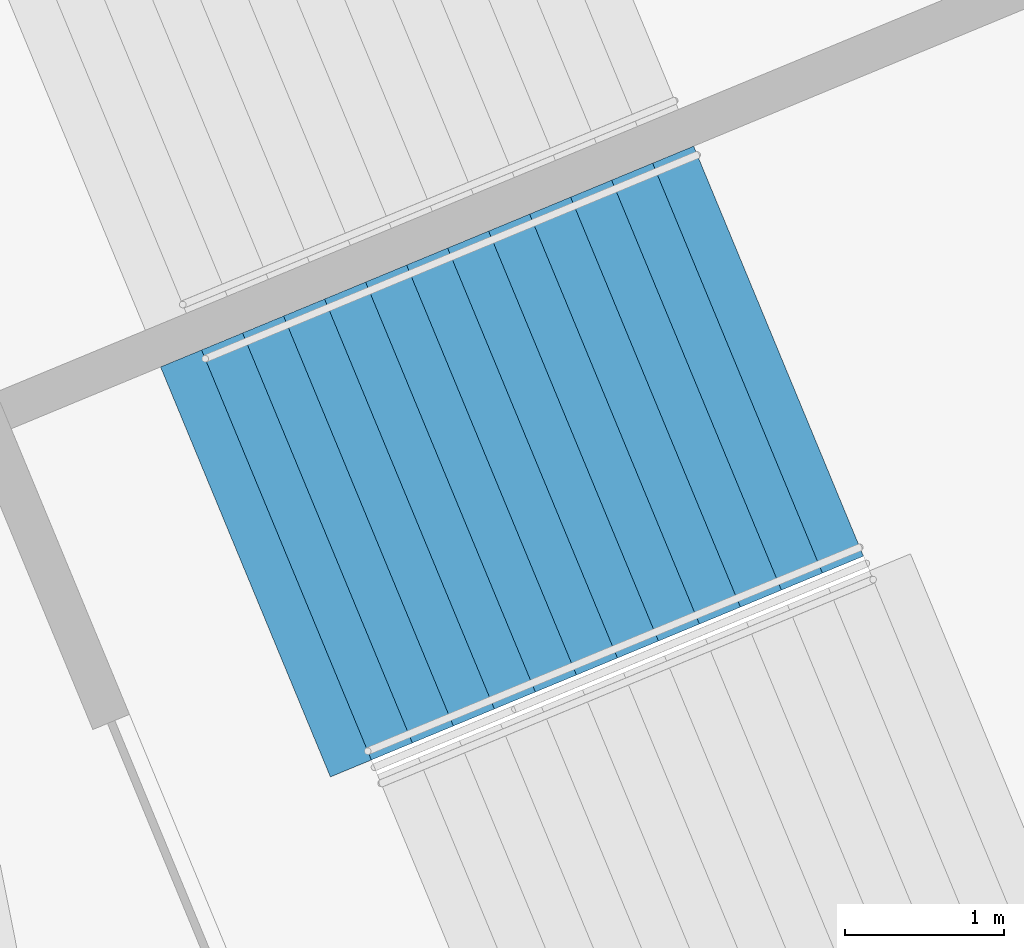
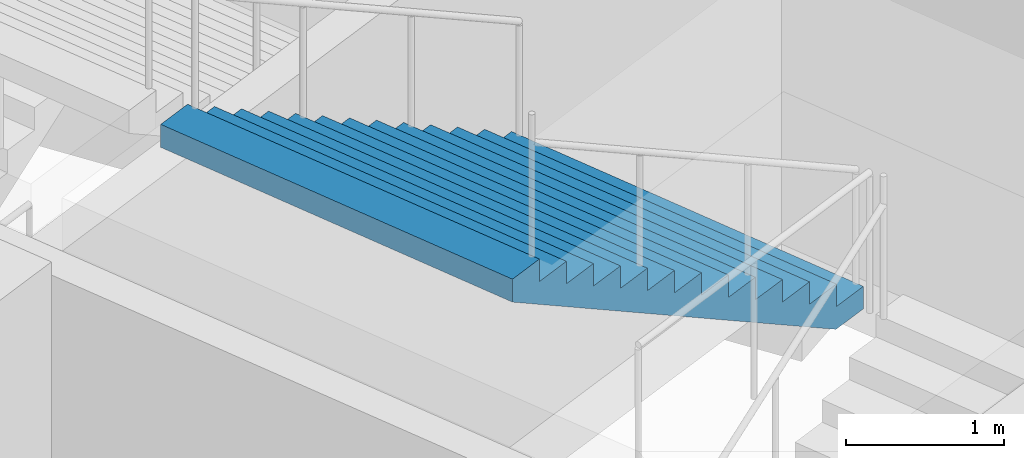
# One storey, part 178 of 199: 1 stair flight, 1 element without a shape of its own.
"""IFC4 building model written with IfcOpenShell, lengths in metres."""

from ifc_helpers import new_model, si_unit, direction, frame, origin, place, context, subcontext, project, spatial, faceted_brep, material, type_object, element, aggregate, save


model = new_model("IFC4")

# Units and contexts
model_context = context("Model", 3, precision=1e-05, world=origin(), true_north=direction((0.0, 1.0)))
body_context = subcontext(model_context, "Body", "Model", "MODEL_VIEW")
ifc_project = project(units=[si_unit("LENGTHUNIT", "METRE"), si_unit("AREAUNIT", "SQUARE_METRE"), si_unit("VOLUMEUNIT", "CUBIC_METRE"), si_unit("PLANEANGLEUNIT", "RADIAN"), si_unit("MASSUNIT", "GRAM", prefix="KILO")], contexts=[model_context])

# Site, building, storey
site_placement = place(None, origin())
site = spatial("IfcSite", under=ifc_project, at=site_placement, CompositionType="ELEMENT")
building_placement = place(site_placement, origin())
building = spatial("IfcBuilding", under=site, at=building_placement, Name="Ogive Plaza Stadium", CompositionType="ELEMENT")
storey_placement = place(building_placement, frame((0.0, 0.0, 4.5)))
storey = spatial("IfcBuildingStorey", under=building, at=storey_placement, Name="L01", CompositionType="ELEMENT", Elevation=4.5)

# Stair, stair flight
ifc_material_1 = material(Name="Concrete C40/50", Category="concrete")
stair_type = type_object("IfcStairType", Name="Exit stair", PredefinedType="STRAIGHT_RUN_STAIR", material=ifc_material_1)
stair_placement = place(storey_placement, origin())
stair = element("IfcStair", 1, at=stair_placement, inside=storey, type_object=stair_type, Name="Exit stair ST40A L01 to L02", PredefinedType="STRAIGHT_RUN_STAIR")
ifc_material_2 = material(Name="Concrete C40/50", Category="concrete")
stair_flight_type = type_object("IfcStairFlightType", Name="Exit stair flight", PredefinedType="STRAIGHT", material=ifc_material_2)
stair_flight_placement = place(storey_placement, frame((76.814208984375, 68.58349609375, 2.25), z_axis=(0.0, 0.0, 1.0), x_axis=(-0.923879532511, -0.382683432365, 0.0)))
stair_flight = element("IfcStairFlight", 2, at=stair_flight_placement, type_object=stair_flight_type, Name="ST40A flight 2", NumberOfRisers=13, NumberOfTreads=12, PredefinedType="STRAIGHT", RiserHeight=0.173076923, TreadLength=0.28, context=body_context, shape_type="Brep", body=[
    faceted_brep([(0.28515625, -1.39990234375, 0.0), (3.639892578125, -1.39990234375, 2.07373046875), (3.639892578125, -1.39990234375, 2.25), (3.360107421875, -1.39990234375, 2.25), (3.360107421875, -1.39990234375, 2.076904296875), (3.080078125, -1.39990234375, 2.076904296875), (3.080078125, -1.39990234375, 1.90380859375), (2.800048828125, -1.39990234375, 1.90380859375), (2.800048828125, -1.39990234375, 1.730712890625), (2.52001953125, -1.39990234375, 1.730712890625), (2.52001953125, -1.39990234375, 1.5576171875), (2.239990234375, -1.39990234375, 1.5576171875), (2.239990234375, -1.39990234375, 1.384521484375), (1.9599609375, -1.39990234375, 1.384521484375), (1.9599609375, -1.39990234375, 1.21142578125), (1.679931640625, -1.39990234375, 1.21142578125), (1.679931640625, -1.39990234375, 1.03857421875), (1.39990234375, -1.39990234375, 1.03857421875), (1.39990234375, -1.39990234375, 0.865478515625), (1.1201171875, -1.39990234375, 0.865478515625), (1.1201171875, -1.39990234375, 0.6923828125), (0.840087890625, -1.39990234375, 0.6923828125), (0.840087890625, -1.39990234375, 0.519287109375), (0.56005859375, -1.39990234375, 0.519287109375), (0.56005859375, -1.39990234375, 0.34619140625), (0.280029296875, -1.39990234375, 0.34619140625), (0.280029296875, -1.39990234375, 0.173095703125), (0.0, -1.39990234375, 0.173095703125), (0.0, -1.39990234375, 0.0), (0.0, 1.39990234375, 0.0), (0.0, 1.39990234375, 0.173095703125), (0.280029296875, 1.39990234375, 0.173095703125), (0.280029296875, 1.39990234375, 0.34619140625), (0.56005859375, 1.39990234375, 0.34619140625), (0.56005859375, 1.39990234375, 0.519287109375), (0.840087890625, 1.39990234375, 0.519287109375), (0.840087890625, 1.39990234375, 0.6923828125), (1.1201171875, 1.39990234375, 0.6923828125), (1.1201171875, 1.39990234375, 0.865478515625), (1.39990234375, 1.39990234375, 0.865478515625), (1.39990234375, 1.39990234375, 1.03857421875), (1.679931640625, 1.39990234375, 1.03857421875), (1.679931640625, 1.39990234375, 1.21142578125), (1.9599609375, 1.39990234375, 1.21142578125), (1.9599609375, 1.39990234375, 1.384521484375), (2.239990234375, 1.39990234375, 1.384521484375), (2.239990234375, 1.39990234375, 1.5576171875), (2.52001953125, 1.39990234375, 1.5576171875), (2.52001953125, 1.39990234375, 1.730712890625), (2.800048828125, 1.39990234375, 1.730712890625), (2.800048828125, 1.39990234375, 1.90380859375), (3.080078125, 1.39990234375, 1.90380859375), (3.080078125, 1.39990234375, 2.076904296875), (3.360107421875, 1.39990234375, 2.076904296875), (3.360107421875, 1.39990234375, 2.25), (3.639892578125, 1.39990234375, 2.25), (3.639892578125, 1.39990234375, 2.07373046875), (0.28515625, 1.39990234375, 0.0), (0.28515625, -1.0888671875, 0.0), (3.639892578125, -1.0888671875, 2.07373046875), (0.28515625, -0.77783203125, 0.0), (3.639892578125, -0.77783203125, 2.07373046875), (0.28515625, -0.466796875, 0.0), (3.639892578125, -0.466796875, 2.07373046875), (0.28515625, -0.155517578125, 0.0), (3.639892578125, -0.155517578125, 2.07373046875), (0.28515625, 0.155517578125, 0.0), (3.639892578125, 0.155517578125, 2.07373046875), (0.28515625, 0.466796875, 0.0), (3.639892578125, 0.466796875, 2.07373046875), (0.28515625, 0.77783203125, 0.0), (3.639892578125, 0.77783203125, 2.07373046875), (0.28515625, 1.0888671875, 0.0), (3.639892578125, 1.0888671875, 2.07373046875), (3.639892578125, -1.0888671875, 2.25), (3.639892578125, -0.77783203125, 2.25), (3.639892578125, -0.466796875, 2.25), (3.639892578125, -0.155517578125, 2.25), (3.639892578125, 0.155517578125, 2.25), (3.639892578125, 0.466796875, 2.25), (3.639892578125, 0.77783203125, 2.25), (3.639892578125, 1.0888671875, 2.25), (3.360107421875, -1.0888671875, 2.25), (3.360107421875, -0.77783203125, 2.25), (3.360107421875, -0.466796875, 2.25), (3.360107421875, -0.155517578125, 2.25), (3.360107421875, 0.155517578125, 2.25), (3.360107421875, 0.466796875, 2.25), (3.360107421875, 0.77783203125, 2.25), (3.360107421875, 1.0888671875, 2.25), (3.360107421875, -1.0888671875, 2.076904296875), (3.360107421875, -0.77783203125, 2.076904296875), (3.360107421875, -0.466796875, 2.076904296875), (3.360107421875, -0.155517578125, 2.076904296875), (3.360107421875, 0.155517578125, 2.076904296875), (3.360107421875, 0.466796875, 2.076904296875), (3.360107421875, 0.77783203125, 2.076904296875), (3.360107421875, 1.0888671875, 2.076904296875), (3.080078125, -1.0888671875, 2.076904296875), (3.080078125, -0.77783203125, 2.076904296875), (3.080078125, -0.466796875, 2.076904296875), (3.080078125, -0.155517578125, 2.076904296875), (3.080078125, 0.155517578125, 2.076904296875), (3.080078125, 0.466796875, 2.076904296875), (3.080078125, 0.77783203125, 2.076904296875), (3.080078125, 1.0888671875, 2.076904296875), (3.080078125, -1.0888671875, 1.90380859375), (3.080078125, -0.77783203125, 1.90380859375), (3.080078125, -0.466796875, 1.90380859375), (3.080078125, -0.155517578125, 1.90380859375), (3.080078125, 0.155517578125, 1.90380859375), (3.080078125, 0.466796875, 1.90380859375), (3.080078125, 0.77783203125, 1.90380859375), (3.080078125, 1.0888671875, 1.90380859375), (2.800048828125, -1.0888671875, 1.90380859375), (2.800048828125, -0.77783203125, 1.90380859375), (2.800048828125, -0.466796875, 1.90380859375), (2.800048828125, -0.155517578125, 1.90380859375), (2.800048828125, 0.155517578125, 1.90380859375), (2.800048828125, 0.466796875, 1.90380859375), (2.800048828125, 0.77783203125, 1.90380859375), (2.800048828125, 1.0888671875, 1.90380859375), (2.800048828125, -1.0888671875, 1.730712890625), (2.800048828125, -0.77783203125, 1.730712890625), (2.800048828125, -0.466796875, 1.730712890625), (2.800048828125, -0.155517578125, 1.730712890625), (2.800048828125, 0.155517578125, 1.730712890625), (2.800048828125, 0.466796875, 1.730712890625), (2.800048828125, 0.77783203125, 1.730712890625), (2.800048828125, 1.0888671875, 1.730712890625), (2.52001953125, -1.0888671875, 1.730712890625), (2.52001953125, -0.77783203125, 1.730712890625), (2.52001953125, -0.466796875, 1.730712890625), (2.52001953125, -0.155517578125, 1.730712890625), (2.52001953125, 0.155517578125, 1.730712890625), (2.52001953125, 0.466796875, 1.730712890625), (2.52001953125, 0.77783203125, 1.730712890625), (2.52001953125, 1.0888671875, 1.730712890625), (2.52001953125, -1.0888671875, 1.5576171875), (2.52001953125, -0.77783203125, 1.5576171875), (2.52001953125, -0.466796875, 1.5576171875), (2.52001953125, -0.155517578125, 1.5576171875), (2.52001953125, 0.155517578125, 1.5576171875), (2.52001953125, 0.466796875, 1.5576171875), (2.52001953125, 0.77783203125, 1.5576171875), (2.52001953125, 1.0888671875, 1.5576171875), (2.239990234375, -1.0888671875, 1.5576171875), (2.239990234375, -0.77783203125, 1.5576171875), (2.239990234375, -0.466796875, 1.5576171875), (2.239990234375, -0.155517578125, 1.5576171875), (2.239990234375, 0.155517578125, 1.5576171875), (2.239990234375, 0.466796875, 1.5576171875), (2.239990234375, 0.77783203125, 1.5576171875), (2.239990234375, 1.0888671875, 1.5576171875), (2.239990234375, -1.0888671875, 1.384521484375), (2.239990234375, -0.77783203125, 1.384521484375), (2.239990234375, -0.466796875, 1.384521484375), (2.239990234375, -0.155517578125, 1.384521484375), (2.239990234375, 0.155517578125, 1.384521484375), (2.239990234375, 0.466796875, 1.384521484375), (2.239990234375, 0.77783203125, 1.384521484375), (2.239990234375, 1.0888671875, 1.384521484375), (1.9599609375, -1.0888671875, 1.384521484375), (1.9599609375, -0.77783203125, 1.384521484375), (1.9599609375, -0.466796875, 1.384521484375), (1.9599609375, -0.155517578125, 1.384521484375), (1.9599609375, 0.155517578125, 1.384521484375), (1.9599609375, 0.466796875, 1.384521484375), (1.9599609375, 0.77783203125, 1.384521484375), (1.9599609375, 1.0888671875, 1.384521484375), (1.9599609375, -1.0888671875, 1.21142578125), (1.9599609375, -0.77783203125, 1.21142578125), (1.9599609375, -0.466796875, 1.21142578125), (1.9599609375, -0.155517578125, 1.21142578125), (1.9599609375, 0.155517578125, 1.21142578125), (1.9599609375, 0.466796875, 1.21142578125), (1.9599609375, 0.77783203125, 1.21142578125), (1.9599609375, 1.0888671875, 1.21142578125), (1.679931640625, -1.0888671875, 1.21142578125), (1.679931640625, -0.77783203125, 1.21142578125), (1.679931640625, -0.466796875, 1.21142578125), (1.679931640625, -0.155517578125, 1.21142578125), (1.679931640625, 0.155517578125, 1.21142578125), (1.679931640625, 0.466796875, 1.21142578125), (1.679931640625, 0.77783203125, 1.21142578125), (1.679931640625, 1.0888671875, 1.21142578125), (1.679931640625, -1.0888671875, 1.03857421875), (1.679931640625, -0.77783203125, 1.03857421875), (1.679931640625, -0.466796875, 1.03857421875), (1.679931640625, -0.155517578125, 1.03857421875), (1.679931640625, 0.155517578125, 1.03857421875), (1.679931640625, 0.466796875, 1.03857421875), (1.679931640625, 0.77783203125, 1.03857421875), (1.679931640625, 1.0888671875, 1.03857421875), (1.39990234375, -1.0888671875, 1.03857421875), (1.39990234375, -0.77783203125, 1.03857421875), (1.39990234375, -0.466796875, 1.03857421875), (1.39990234375, -0.155517578125, 1.03857421875), (1.39990234375, 0.155517578125, 1.03857421875), (1.39990234375, 0.466796875, 1.03857421875), (1.39990234375, 0.77783203125, 1.03857421875), (1.39990234375, 1.0888671875, 1.03857421875), (1.39990234375, -1.0888671875, 0.865478515625), (1.39990234375, -0.77783203125, 0.865478515625), (1.39990234375, -0.466796875, 0.865478515625), (1.39990234375, -0.155517578125, 0.865478515625), (1.39990234375, 0.155517578125, 0.865478515625), (1.39990234375, 0.466796875, 0.865478515625), (1.39990234375, 0.77783203125, 0.865478515625), (1.39990234375, 1.0888671875, 0.865478515625), (1.1201171875, -1.0888671875, 0.865478515625), (1.1201171875, -0.77783203125, 0.865478515625), (1.1201171875, -0.466796875, 0.865478515625), (1.1201171875, -0.155517578125, 0.865478515625), (1.1201171875, 0.155517578125, 0.865478515625), (1.1201171875, 0.466796875, 0.865478515625), (1.1201171875, 0.77783203125, 0.865478515625), (1.1201171875, 1.0888671875, 0.865478515625), (1.1201171875, -1.0888671875, 0.6923828125), (1.1201171875, -0.77783203125, 0.6923828125), (1.1201171875, -0.466796875, 0.6923828125), (1.1201171875, -0.155517578125, 0.6923828125), (1.1201171875, 0.155517578125, 0.6923828125), (1.1201171875, 0.466796875, 0.6923828125), (1.1201171875, 0.77783203125, 0.6923828125), (1.1201171875, 1.0888671875, 0.6923828125), (0.840087890625, -1.0888671875, 0.6923828125), (0.840087890625, -0.77783203125, 0.6923828125), (0.840087890625, -0.466796875, 0.6923828125), (0.840087890625, -0.155517578125, 0.6923828125), (0.840087890625, 0.155517578125, 0.6923828125), (0.840087890625, 0.466796875, 0.6923828125), (0.840087890625, 0.77783203125, 0.6923828125), (0.840087890625, 1.0888671875, 0.6923828125), (0.840087890625, -1.0888671875, 0.519287109375), (0.840087890625, -0.77783203125, 0.519287109375), (0.840087890625, -0.466796875, 0.519287109375), (0.840087890625, -0.155517578125, 0.519287109375), (0.840087890625, 0.155517578125, 0.519287109375), (0.840087890625, 0.466796875, 0.519287109375), (0.840087890625, 0.77783203125, 0.519287109375), (0.840087890625, 1.0888671875, 0.519287109375), (0.56005859375, -1.0888671875, 0.519287109375), (0.56005859375, -0.77783203125, 0.519287109375), (0.56005859375, -0.466796875, 0.519287109375), (0.56005859375, -0.155517578125, 0.519287109375), (0.56005859375, 0.155517578125, 0.519287109375), (0.56005859375, 0.466796875, 0.519287109375), (0.56005859375, 0.77783203125, 0.519287109375), (0.56005859375, 1.0888671875, 0.519287109375), (0.56005859375, -1.0888671875, 0.34619140625), (0.56005859375, -0.77783203125, 0.34619140625), (0.56005859375, -0.466796875, 0.34619140625), (0.56005859375, -0.155517578125, 0.34619140625), (0.56005859375, 0.155517578125, 0.34619140625), (0.56005859375, 0.466796875, 0.34619140625), (0.56005859375, 0.77783203125, 0.34619140625), (0.56005859375, 1.0888671875, 0.34619140625), (0.280029296875, -1.0888671875, 0.34619140625), (0.280029296875, -0.77783203125, 0.34619140625), (0.280029296875, -0.466796875, 0.34619140625), (0.280029296875, -0.155517578125, 0.34619140625), (0.280029296875, 0.155517578125, 0.34619140625), (0.280029296875, 0.466796875, 0.34619140625), (0.280029296875, 0.77783203125, 0.34619140625), (0.280029296875, 1.0888671875, 0.34619140625), (0.280029296875, -1.0888671875, 0.173095703125), (0.280029296875, -0.77783203125, 0.173095703125), (0.280029296875, -0.466796875, 0.173095703125), (0.280029296875, -0.155517578125, 0.173095703125), (0.280029296875, 0.155517578125, 0.173095703125), (0.280029296875, 0.466796875, 0.173095703125), (0.280029296875, 0.77783203125, 0.173095703125), (0.280029296875, 1.0888671875, 0.173095703125), (0.0, -1.0888671875, 0.173095703125), (0.0, -0.77783203125, 0.173095703125), (0.0, -0.466796875, 0.173095703125), (0.0, -0.155517578125, 0.173095703125), (0.0, 0.155517578125, 0.173095703125), (0.0, 0.466796875, 0.173095703125), (0.0, 0.77783203125, 0.173095703125), (0.0, 1.0888671875, 0.173095703125), (0.0, -1.0888671875, 0.0), (0.0, -0.77783203125, 0.0), (0.0, -0.466796875, 0.0), (0.0, -0.155517578125, 0.0), (0.0, 0.155517578125, 0.0), (0.0, 0.466796875, 0.0), (0.0, 0.77783203125, 0.0), (0.0, 1.0888671875, 0.0)], [[[0, 1, 2, 3, 4, 5, 6, 7, 8, 9, 10, 11, 12, 13, 14, 15, 16, 17, 18, 19, 20, 21, 22, 23, 24, 25, 26, 27, 28]], [[29, 30, 31, 32, 33, 34, 35, 36, 37, 38, 39, 40, 41, 42, 43, 44, 45, 46, 47, 48, 49, 50, 51, 52, 53, 54, 55, 56, 57]], [[0, 58, 59, 1]], [[58, 60, 61, 59]], [[60, 62, 63, 61]], [[62, 64, 65, 63]], [[64, 66, 67, 65]], [[66, 68, 69, 67]], [[68, 70, 71, 69]], [[70, 72, 73, 71]], [[72, 57, 56, 73]], [[1, 59, 74, 2]], [[59, 61, 75, 74]], [[61, 63, 76, 75]], [[63, 65, 77, 76]], [[65, 67, 78, 77]], [[67, 69, 79, 78]], [[69, 71, 80, 79]], [[71, 73, 81, 80]], [[73, 56, 55, 81]], [[2, 74, 82, 3]], [[74, 75, 83, 82]], [[75, 76, 84, 83]], [[76, 77, 85, 84]], [[77, 78, 86, 85]], [[78, 79, 87, 86]], [[79, 80, 88, 87]], [[80, 81, 89, 88]], [[81, 55, 54, 89]], [[3, 82, 90, 4]], [[82, 83, 91, 90]], [[83, 84, 92, 91]], [[84, 85, 93, 92]], [[85, 86, 94, 93]], [[86, 87, 95, 94]], [[87, 88, 96, 95]], [[88, 89, 97, 96]], [[89, 54, 53, 97]], [[4, 90, 98, 5]], [[90, 91, 99, 98]], [[91, 92, 100, 99]], [[92, 93, 101, 100]], [[93, 94, 102, 101]], [[94, 95, 103, 102]], [[95, 96, 104, 103]], [[96, 97, 105, 104]], [[97, 53, 52, 105]], [[5, 98, 106, 6]], [[98, 99, 107, 106]], [[99, 100, 108, 107]], [[100, 101, 109, 108]], [[101, 102, 110, 109]], [[102, 103, 111, 110]], [[103, 104, 112, 111]], [[104, 105, 113, 112]], [[105, 52, 51, 113]], [[6, 106, 114, 7]], [[106, 107, 115, 114]], [[107, 108, 116, 115]], [[108, 109, 117, 116]], [[109, 110, 118, 117]], [[110, 111, 119, 118]], [[111, 112, 120, 119]], [[112, 113, 121, 120]], [[113, 51, 50, 121]], [[7, 114, 122, 8]], [[114, 115, 123, 122]], [[115, 116, 124, 123]], [[116, 117, 125, 124]], [[117, 118, 126, 125]], [[118, 119, 127, 126]], [[119, 120, 128, 127]], [[120, 121, 129, 128]], [[121, 50, 49, 129]], [[8, 122, 130, 9]], [[122, 123, 131, 130]], [[123, 124, 132, 131]], [[124, 125, 133, 132]], [[125, 126, 134, 133]], [[126, 127, 135, 134]], [[127, 128, 136, 135]], [[128, 129, 137, 136]], [[129, 49, 48, 137]], [[9, 130, 138, 10]], [[130, 131, 139, 138]], [[131, 132, 140, 139]], [[132, 133, 141, 140]], [[133, 134, 142, 141]], [[134, 135, 143, 142]], [[135, 136, 144, 143]], [[136, 137, 145, 144]], [[137, 48, 47, 145]], [[10, 138, 146, 11]], [[138, 139, 147, 146]], [[139, 140, 148, 147]], [[140, 141, 149, 148]], [[141, 142, 150, 149]], [[142, 143, 151, 150]], [[143, 144, 152, 151]], [[144, 145, 153, 152]], [[145, 47, 46, 153]], [[11, 146, 154, 12]], [[146, 147, 155, 154]], [[147, 148, 156, 155]], [[148, 149, 157, 156]], [[149, 150, 158, 157]], [[150, 151, 159, 158]], [[151, 152, 160, 159]], [[152, 153, 161, 160]], [[153, 46, 45, 161]], [[12, 154, 162, 13]], [[154, 155, 163, 162]], [[155, 156, 164, 163]], [[156, 157, 165, 164]], [[157, 158, 166, 165]], [[158, 159, 167, 166]], [[159, 160, 168, 167]], [[160, 161, 169, 168]], [[161, 45, 44, 169]], [[13, 162, 170, 14]], [[162, 163, 171, 170]], [[163, 164, 172, 171]], [[164, 165, 173, 172]], [[165, 166, 174, 173]], [[166, 167, 175, 174]], [[167, 168, 176, 175]], [[168, 169, 177, 176]], [[169, 44, 43, 177]], [[14, 170, 178, 15]], [[170, 171, 179, 178]], [[171, 172, 180, 179]], [[172, 173, 181, 180]], [[173, 174, 182, 181]], [[174, 175, 183, 182]], [[175, 176, 184, 183]], [[176, 177, 185, 184]], [[177, 43, 42, 185]], [[15, 178, 186, 16]], [[178, 179, 187, 186]], [[179, 180, 188, 187]], [[180, 181, 189, 188]], [[181, 182, 190, 189]], [[182, 183, 191, 190]], [[183, 184, 192, 191]], [[184, 185, 193, 192]], [[185, 42, 41, 193]], [[16, 186, 194, 17]], [[186, 187, 195, 194]], [[187, 188, 196, 195]], [[188, 189, 197, 196]], [[189, 190, 198, 197]], [[190, 191, 199, 198]], [[191, 192, 200, 199]], [[192, 193, 201, 200]], [[193, 41, 40, 201]], [[17, 194, 202, 18]], [[194, 195, 203, 202]], [[195, 196, 204, 203]], [[196, 197, 205, 204]], [[197, 198, 206, 205]], [[198, 199, 207, 206]], [[199, 200, 208, 207]], [[200, 201, 209, 208]], [[201, 40, 39, 209]], [[18, 202, 210, 19]], [[202, 203, 211, 210]], [[203, 204, 212, 211]], [[204, 205, 213, 212]], [[205, 206, 214, 213]], [[206, 207, 215, 214]], [[207, 208, 216, 215]], [[208, 209, 217, 216]], [[209, 39, 38, 217]], [[19, 210, 218, 20]], [[210, 211, 219, 218]], [[211, 212, 220, 219]], [[212, 213, 221, 220]], [[213, 214, 222, 221]], [[214, 215, 223, 222]], [[215, 216, 224, 223]], [[216, 217, 225, 224]], [[217, 38, 37, 225]], [[20, 218, 226, 21]], [[218, 219, 227, 226]], [[219, 220, 228, 227]], [[220, 221, 229, 228]], [[221, 222, 230, 229]], [[222, 223, 231, 230]], [[223, 224, 232, 231]], [[224, 225, 233, 232]], [[225, 37, 36, 233]], [[21, 226, 234, 22]], [[226, 227, 235, 234]], [[227, 228, 236, 235]], [[228, 229, 237, 236]], [[229, 230, 238, 237]], [[230, 231, 239, 238]], [[231, 232, 240, 239]], [[232, 233, 241, 240]], [[233, 36, 35, 241]], [[22, 234, 242, 23]], [[234, 235, 243, 242]], [[235, 236, 244, 243]], [[236, 237, 245, 244]], [[237, 238, 246, 245]], [[238, 239, 247, 246]], [[239, 240, 248, 247]], [[240, 241, 249, 248]], [[241, 35, 34, 249]], [[23, 242, 250, 24]], [[242, 243, 251, 250]], [[243, 244, 252, 251]], [[244, 245, 253, 252]], [[245, 246, 254, 253]], [[246, 247, 255, 254]], [[247, 248, 256, 255]], [[248, 249, 257, 256]], [[249, 34, 33, 257]], [[24, 250, 258, 25]], [[250, 251, 259, 258]], [[251, 252, 260, 259]], [[252, 253, 261, 260]], [[253, 254, 262, 261]], [[254, 255, 263, 262]], [[255, 256, 264, 263]], [[256, 257, 265, 264]], [[257, 33, 32, 265]], [[25, 258, 266, 26]], [[258, 259, 267, 266]], [[259, 260, 268, 267]], [[260, 261, 269, 268]], [[261, 262, 270, 269]], [[262, 263, 271, 270]], [[263, 264, 272, 271]], [[264, 265, 273, 272]], [[265, 32, 31, 273]], [[26, 266, 274, 27]], [[266, 267, 275, 274]], [[267, 268, 276, 275]], [[268, 269, 277, 276]], [[269, 270, 278, 277]], [[270, 271, 279, 278]], [[271, 272, 280, 279]], [[272, 273, 281, 280]], [[273, 31, 30, 281]], [[27, 274, 282, 28]], [[274, 275, 283, 282]], [[275, 276, 284, 283]], [[276, 277, 285, 284]], [[277, 278, 286, 285]], [[278, 279, 287, 286]], [[279, 280, 288, 287]], [[280, 281, 289, 288]], [[281, 30, 29, 289]], [[28, 282, 58, 0]], [[282, 283, 60, 58]], [[283, 284, 62, 60]], [[284, 285, 64, 62]], [[285, 286, 66, 64]], [[286, 287, 68, 66]], [[287, 288, 70, 68]], [[288, 289, 72, 70]], [[289, 29, 57, 72]]]),
])
aggregate(stair, [stair_flight])

save(model, "model.ifc")
